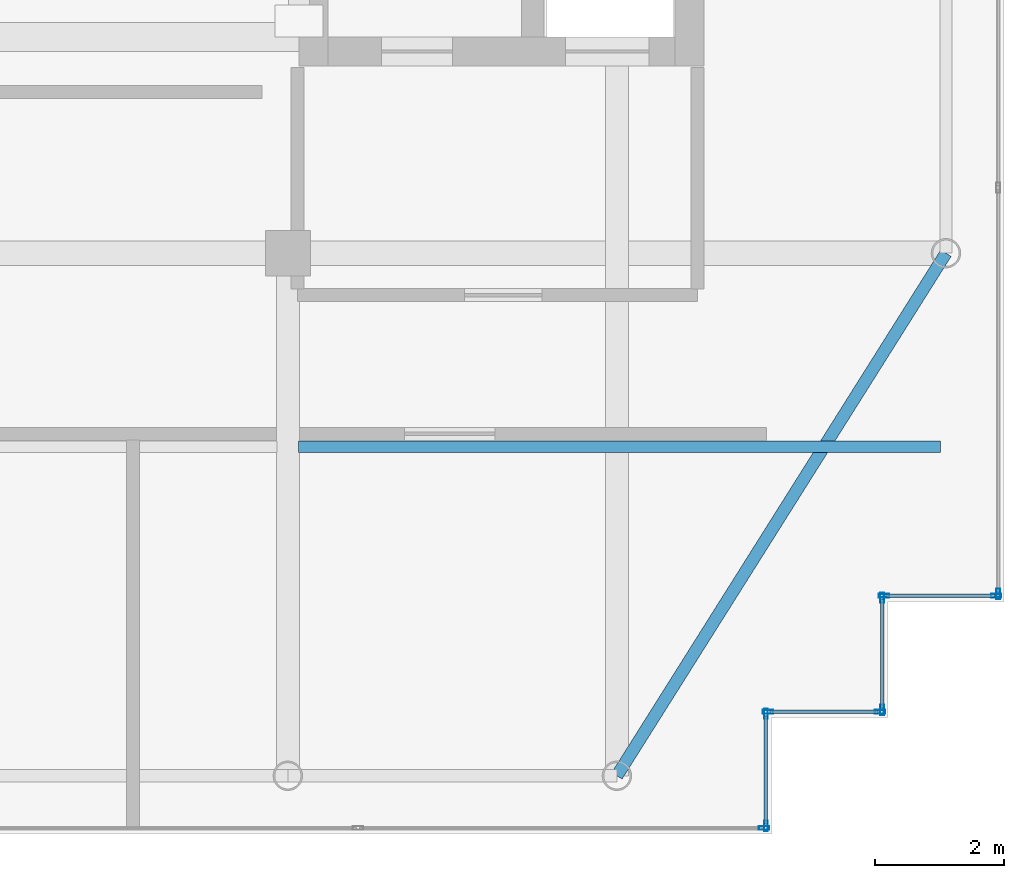
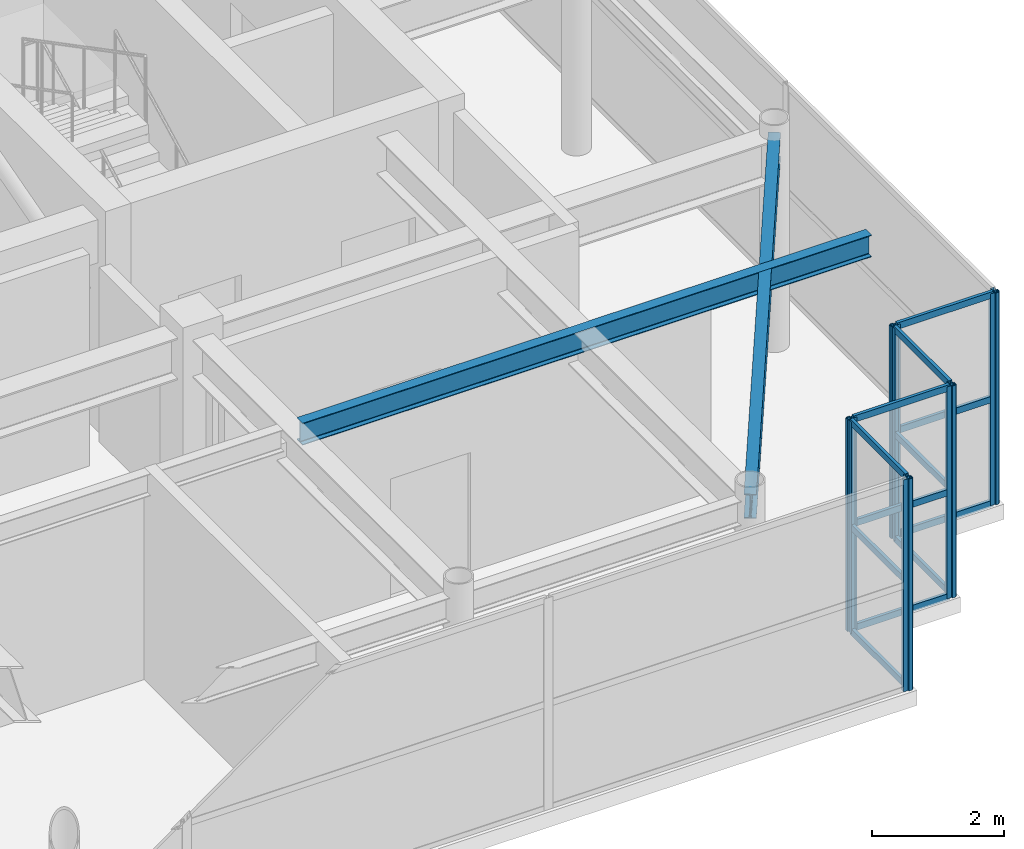
# One storey, part 15 of 33: 22 members, 2 beams, 6 elements without a shape of their own.
"""IFC4 building model written with IfcOpenShell, lengths in metres."""

from ifc_helpers import new_model, si_unit, direction, frame, origin, origin_2d, place, context, subcontext, project, spatial, hollow_rectangle, i_section, extrude, source, transform, mapped, material, layer, layer_set, material_profile, profile_set, type_object, element, aggregate, save


model = new_model("IFC4")

# Units and contexts
model_context = context("Model", 3, precision=1e-05, world=origin(), true_north=direction((0.0, 1.0)))
body_context = subcontext(model_context, "Body", "Model", "MODEL_VIEW")
ifc_project = project(units=[si_unit("LENGTHUNIT", "METRE"), si_unit("AREAUNIT", "SQUARE_METRE"), si_unit("VOLUMEUNIT", "CUBIC_METRE"), si_unit("PLANEANGLEUNIT", "RADIAN"), si_unit("MASSUNIT", "GRAM", prefix="KILO")], contexts=[model_context])

# Site, building, storey
site_placement = place(None, origin())
site = spatial("IfcSite", under=ifc_project, at=site_placement, CompositionType="ELEMENT")
building_placement = place(site_placement, origin())
building = spatial("IfcBuilding", under=site, at=building_placement, Name="Khoralis Quay Care Tower", CompositionType="ELEMENT")
storey_placement = place(building_placement, frame((0.0, 0.0, 302.10009765625)))
storey = spatial("IfcBuildingStorey", under=building, at=storey_placement, Name="L79", CompositionType="ELEMENT", Elevation=302.10009765625)

# Beams
ifc_material_1 = material(Name="Steel S355", Category="steel")
ifc_material_profile_1 = material_profile(ifc_material_1, i_section(OverallWidth=0.18994140625, OverallDepth=0.449951171875, WebThickness=0.009521484375, FlangeThickness=0.0146484375, FilletRadius=0.02099609375, at=origin_2d()), Name="Steel S355")
ifc_profile_set_1 = profile_set([ifc_material_profile_1], Name="Steel S355")
beam_type_1 = type_object("IfcBeamType", Name="BM-IPE450", PredefinedType="SPANDREL", material=ifc_profile_set_1)
shared_shape_1 = source(origin(), body_context, "Body", "SweptSolid", [
    extrude(i_section(OverallWidth=0.18994140625, OverallDepth=0.449951171875, WebThickness=0.009521484375, FlangeThickness=0.0146484375, FilletRadius=0.02099609375, at=origin_2d()), origin(), (0.0, 0.0, 1.0), 9.572021484375),
])
beam_1_placement = place(storey_placement, frame((36.0, 3.89990234375, 3.69482421875), z_axis=(0.532815975602, 0.846231136359, 0.0), x_axis=(-0.846231136359, 0.532815975602, 0.0)))
element("IfcBeam", 1, at=beam_1_placement, inside=storey, type_object=beam_type_1, Name="BM-TCR-L79-18", PredefinedType="SPANDREL", context=body_context, shape_type="MappedRepresentation", body=[
    mapped(shared_shape_1, transform((0.0, 0.0, 0.0), scale=1.0)),
])
ifc_material_profile_2 = material_profile(ifc_material_1, i_section(OverallWidth=0.177978515625, OverallDepth=0.406982421875, WebThickness=0.0078125, FlangeThickness=0.0126953125, FilletRadius=0.012939453125, at=origin_2d()), Name="Steel S355")
ifc_profile_set_2 = profile_set([ifc_material_profile_2], Name="Steel S355")
beam_type_2 = type_object("IfcBeamType", Name="BM-W410X60", PredefinedType="JOIST", material=ifc_profile_set_2)
shared_shape_2 = source(origin(), body_context, "Body", "SweptSolid", [
    extrude(i_section(OverallWidth=0.177978515625, OverallDepth=0.406982421875, WebThickness=0.0078125, FlangeThickness=0.0126953125, FilletRadius=0.012939453125, at=origin_2d()), origin(), (0.0, 0.0, 1.0), 9.95361328125),
])
beam_2_placement = place(storey_placement, frame((31.0654296875, 9.0, 3.71630859375), z_axis=(1.0, 0.0, 0.0), x_axis=(0.0, 1.0, 0.0)))
element("IfcBeam", 2, at=beam_2_placement, inside=storey, type_object=beam_type_2, Name="BM-TJS-L79-22", PredefinedType="JOIST", context=body_context, shape_type="MappedRepresentation", body=[
    mapped(shared_shape_2, transform((0.0, 0.0, 0.0), scale=1.0)),
])

# Curtain wall, members
ifc_material_2 = material(Name="Pale anodised aluminium", Category="aluminium")
ifc_layer = layer(ifc_material_2, 0.199951171875)
ifc_layer_set = layer_set([ifc_layer], Name="Pale anodised aluminium")
curtain_wall_type = type_object("IfcCurtainWallType", Name="CW-SYS-LANTERN", PredefinedType="NOTDEFINED", material=ifc_layer_set)
curtain_wall_1_placement = place(storey_placement, origin())
curtain_wall_1 = element("IfcCurtainWall", 3, at=curtain_wall_1_placement, inside=storey, type_object=curtain_wall_type, Name="L79 Unitised Curtain Wall CW-LN-L79-02", PredefinedType="NOTDEFINED")
ifc_material_profile_3 = material_profile(ifc_material_2, hollow_rectangle(XDim=0.054931640625, YDim=0.1201171875, WallThickness=0.00390625, at=origin_2d()), Name="Pale anodised aluminium")
ifc_profile_set_3 = profile_set([ifc_material_profile_3], Name="Pale anodised aluminium")
member_type_1 = type_object("IfcMemberType", Name="CW-TRN-120", PredefinedType="USERDEFINED", material=ifc_profile_set_3)
shared_shape_3 = source(origin(), body_context, "Body", "SweptSolid", [
    extrude(hollow_rectangle(XDim=0.054931640625, YDim=0.1201171875, WallThickness=0.00390625, at=origin_2d()), origin(), (0.0, 0.0, 1.0), 1.68017578125),
])
member_1_placement = place(storey_placement, frame((38.31005859375, 3.14990234375, 0.02978515625), z_axis=(0.0, 1.0, 0.0), x_axis=(-1.0, 0.0, 0.0)))
member_1 = element("IfcMember", 4, at=member_1_placement, type_object=member_type_1, Name="CW5 transom 1.1", ObjectType="TRANSOM", PredefinedType="USERDEFINED", context=body_context, shape_type="MappedRepresentation", body=[
    mapped(shared_shape_3, transform((0.0, 0.0, 0.0), scale=1.0)),
])
member_2_placement = place(storey_placement, frame((38.31005859375, 3.14990234375, 1.9599609375), z_axis=(0.0, 1.0, 0.0), x_axis=(-1.0, 0.0, 0.0)))
member_2 = element("IfcMember", 5, at=member_2_placement, type_object=member_type_1, Name="CW5 transom 1.2", ObjectType="TRANSOM", PredefinedType="USERDEFINED", context=body_context, shape_type="MappedRepresentation", body=[
    mapped(shared_shape_3, transform((0.0, 0.0, 0.0), scale=1.0)),
])
member_3_placement = place(storey_placement, frame((38.31005859375, 3.14990234375, 3.889892578125), z_axis=(0.0, 1.0, 0.0), x_axis=(-1.0, 0.0, 0.0)))
member_3 = element("IfcMember", 6, at=member_3_placement, type_object=member_type_1, Name="CW5 transom 1.3", ObjectType="TRANSOM", PredefinedType="USERDEFINED", context=body_context, shape_type="MappedRepresentation", body=[
    mapped(shared_shape_3, transform((0.0, 0.0, 0.0), scale=1.0)),
])

curtain_wall_2_placement = place(storey_placement, origin())
curtain_wall_2 = element("IfcCurtainWall", 7, at=curtain_wall_2_placement, inside=storey, type_object=curtain_wall_type, Name="L79 Unitised Curtain Wall CW-LN-L79-05", PredefinedType="NOTDEFINED")
member_4_placement = place(storey_placement, frame((40.169921875, 6.68994140625, 0.02978515625), z_axis=(1.0, 0.0, 0.0), x_axis=(0.0, 1.0, 0.0)))
member_4 = element("IfcMember", 8, at=member_4_placement, type_object=member_type_1, Name="CW5 transom 1.1", ObjectType="TRANSOM", PredefinedType="USERDEFINED", context=body_context, shape_type="MappedRepresentation", body=[
    mapped(shared_shape_3, transform((0.0, 0.0, 0.0), scale=1.0)),
])
member_5_placement = place(storey_placement, frame((40.169921875, 6.68994140625, 1.9599609375), z_axis=(1.0, 0.0, 0.0), x_axis=(0.0, 1.0, 0.0)))
member_5 = element("IfcMember", 9, at=member_5_placement, type_object=member_type_1, Name="CW5 transom 1.2", ObjectType="TRANSOM", PredefinedType="USERDEFINED", context=body_context, shape_type="MappedRepresentation", body=[
    mapped(shared_shape_3, transform((0.0, 0.0, 0.0), scale=1.0)),
])
member_6_placement = place(storey_placement, frame((40.169921875, 6.68994140625, 3.889892578125), z_axis=(1.0, 0.0, 0.0), x_axis=(0.0, 1.0, 0.0)))
member_6 = element("IfcMember", 10, at=member_6_placement, type_object=member_type_1, Name="CW5 transom 1.3", ObjectType="TRANSOM", PredefinedType="USERDEFINED", context=body_context, shape_type="MappedRepresentation", body=[
    mapped(shared_shape_3, transform((0.0, 0.0, 0.0), scale=1.0)),
])

curtain_wall_3_placement = place(storey_placement, origin())
curtain_wall_3 = element("IfcCurtainWall", 11, at=curtain_wall_3_placement, inside=storey, type_object=curtain_wall_type, Name="L79 Unitised Curtain Wall CW-LN-L79-03", PredefinedType="NOTDEFINED")
shared_shape_4 = source(origin(), body_context, "Body", "SweptSolid", [
    extrude(hollow_rectangle(XDim=0.054931640625, YDim=0.1201171875, WallThickness=0.00390625, at=origin_2d()), origin(), (0.0, 0.0, 1.0), 1.679931640625),
])
member_7_placement = place(storey_placement, frame((38.3701171875, 4.889892578125, 0.02978515625), z_axis=(1.0, 0.0, 0.0), x_axis=(0.0, 1.0, 0.0)))
member_7 = element("IfcMember", 12, at=member_7_placement, type_object=member_type_1, Name="CW5 transom 1.1", ObjectType="TRANSOM", PredefinedType="USERDEFINED", context=body_context, shape_type="MappedRepresentation", body=[
    mapped(shared_shape_4, transform((0.0, 0.0, 0.0), scale=1.0)),
])
member_8_placement = place(storey_placement, frame((38.3701171875, 4.889892578125, 1.9599609375), z_axis=(1.0, 0.0, 0.0), x_axis=(0.0, 1.0, 0.0)))
member_8 = element("IfcMember", 13, at=member_8_placement, type_object=member_type_1, Name="CW5 transom 1.2", ObjectType="TRANSOM", PredefinedType="USERDEFINED", context=body_context, shape_type="MappedRepresentation", body=[
    mapped(shared_shape_4, transform((0.0, 0.0, 0.0), scale=1.0)),
])
member_9_placement = place(storey_placement, frame((38.3701171875, 4.889892578125, 3.889892578125), z_axis=(1.0, 0.0, 0.0), x_axis=(0.0, 1.0, 0.0)))
member_9 = element("IfcMember", 14, at=member_9_placement, type_object=member_type_1, Name="CW5 transom 1.3", ObjectType="TRANSOM", PredefinedType="USERDEFINED", context=body_context, shape_type="MappedRepresentation", body=[
    mapped(shared_shape_4, transform((0.0, 0.0, 0.0), scale=1.0)),
])

curtain_wall_4_placement = place(storey_placement, origin())
curtain_wall_4 = element("IfcCurtainWall", 15, at=curtain_wall_4_placement, inside=storey, type_object=curtain_wall_type, Name="L79 Unitised Curtain Wall CW-LN-L79-04", PredefinedType="NOTDEFINED")
member_10_placement = place(storey_placement, frame((40.110107421875, 4.949951171875, 0.02978515625), z_axis=(0.0, 1.0, 0.0), x_axis=(-1.0, 0.0, 0.0)))
member_10 = element("IfcMember", 16, at=member_10_placement, type_object=member_type_1, Name="CW5 transom 1.1", ObjectType="TRANSOM", PredefinedType="USERDEFINED", context=body_context, shape_type="MappedRepresentation", body=[
    mapped(shared_shape_4, transform((0.0, 0.0, 0.0), scale=1.0)),
])
member_11_placement = place(storey_placement, frame((40.110107421875, 4.949951171875, 1.9599609375), z_axis=(0.0, 1.0, 0.0), x_axis=(-1.0, 0.0, 0.0)))
member_11 = element("IfcMember", 17, at=member_11_placement, type_object=member_type_1, Name="CW5 transom 1.2", ObjectType="TRANSOM", PredefinedType="USERDEFINED", context=body_context, shape_type="MappedRepresentation", body=[
    mapped(shared_shape_4, transform((0.0, 0.0, 0.0), scale=1.0)),
])
member_12_placement = place(storey_placement, frame((40.110107421875, 4.949951171875, 3.889892578125), z_axis=(0.0, 1.0, 0.0), x_axis=(-1.0, 0.0, 0.0)))
member_12 = element("IfcMember", 18, at=member_12_placement, type_object=member_type_1, Name="CW5 transom 1.3", ObjectType="TRANSOM", PredefinedType="USERDEFINED", context=body_context, shape_type="MappedRepresentation", body=[
    mapped(shared_shape_4, transform((0.0, 0.0, 0.0), scale=1.0)),
])

# Curtain wall, member
curtain_wall_5_placement = place(storey_placement, origin())
curtain_wall_5 = element("IfcCurtainWall", 19, at=curtain_wall_5_placement, inside=storey, type_object=curtain_wall_type, Name="L79 Unitised Curtain Wall CW-LN-L79-01", PredefinedType="NOTDEFINED")
ifc_material_profile_4 = material_profile(ifc_material_2, hollow_rectangle(XDim=0.06005859375, YDim=0.159912109375, WallThickness=0.00390625, at=origin_2d()), Name="Pale anodised aluminium")
ifc_profile_set_4 = profile_set([ifc_material_profile_4], Name="Pale anodised aluminium")
member_type_2 = type_object("IfcMemberType", Name="CW-MUL-160", PredefinedType="MULLION", material=ifc_profile_set_4)
shared_shape_5 = source(origin(), body_context, "Body", "SweptSolid", [
    extrude(hollow_rectangle(XDim=0.06005859375, YDim=0.159912109375, WallThickness=0.00390625, at=origin_2d()), origin(), (0.0, 0.0, 1.0), 3.919921875),
])
member_13_placement = place(storey_placement, frame((38.280029296875, 3.090087890625, 0.0), z_axis=(0.0, 0.0, 1.0), x_axis=(0.0, 1.0, 0.0)))
member_13 = element("IfcMember", 20, at=member_13_placement, type_object=member_type_2, Name="CW5 mullion 6", PredefinedType="MULLION", context=body_context, shape_type="MappedRepresentation", body=[
    mapped(shared_shape_5, transform((0.0, 0.0, 0.0), scale=1.0)),
])
aggregate(curtain_wall_5, [member_13])

# Member
member_14_placement = place(storey_placement, frame((38.31005859375, 3.1201171875, 0.0), z_axis=(0.0, 0.0, 1.0), x_axis=(-1.0, 0.0, 0.0)))
member_14 = element("IfcMember", 21, at=member_14_placement, type_object=member_type_2, Name="CW5 mullion 1", PredefinedType="MULLION", context=body_context, shape_type="MappedRepresentation", body=[
    mapped(shared_shape_5, transform((0.0, 0.0, 0.0), scale=1.0)),
])

member_15_placement = place(storey_placement, frame((38.31005859375, 4.860107421875, 0.0), z_axis=(0.0, 0.0, 1.0), x_axis=(-1.0, 0.0, 0.0)))
member_15 = element("IfcMember", 22, at=member_15_placement, type_object=member_type_2, Name="CW5 mullion 2", PredefinedType="MULLION", context=body_context, shape_type="MappedRepresentation", body=[
    mapped(shared_shape_5, transform((0.0, 0.0, 0.0), scale=1.0)),
])

aggregate(curtain_wall_1, [member_14, member_15, member_1, member_2, member_3])

member_16_placement = place(storey_placement, frame((38.340087890625, 4.889892578125, 0.0), z_axis=(0.0, 0.0, 1.0), x_axis=(0.0, 1.0, 0.0)))
member_16 = element("IfcMember", 23, at=member_16_placement, type_object=member_type_2, Name="CW5 mullion 1", PredefinedType="MULLION", context=body_context, shape_type="MappedRepresentation", body=[
    mapped(shared_shape_5, transform((0.0, 0.0, 0.0), scale=1.0)),
])

member_17_placement = place(storey_placement, frame((40.080078125, 4.889892578125, 0.0), z_axis=(0.0, 0.0, 1.0), x_axis=(0.0, 1.0, 0.0)))
member_17 = element("IfcMember", 24, at=member_17_placement, type_object=member_type_2, Name="CW5 mullion 2", PredefinedType="MULLION", context=body_context, shape_type="MappedRepresentation", body=[
    mapped(shared_shape_5, transform((0.0, 0.0, 0.0), scale=1.0)),
])

aggregate(curtain_wall_3, [member_16, member_17, member_7, member_8, member_9])

member_18_placement = place(storey_placement, frame((40.110107421875, 4.919921875, 0.0), z_axis=(0.0, 0.0, 1.0), x_axis=(-1.0, 0.0, 0.0)))
member_18 = element("IfcMember", 25, at=member_18_placement, type_object=member_type_2, Name="CW5 mullion 1", PredefinedType="MULLION", context=body_context, shape_type="MappedRepresentation", body=[
    mapped(shared_shape_5, transform((0.0, 0.0, 0.0), scale=1.0)),
])

member_19_placement = place(storey_placement, frame((40.110107421875, 6.659912109375, 0.0), z_axis=(0.0, 0.0, 1.0), x_axis=(-1.0, 0.0, 0.0)))
member_19 = element("IfcMember", 26, at=member_19_placement, type_object=member_type_2, Name="CW5 mullion 2", PredefinedType="MULLION", context=body_context, shape_type="MappedRepresentation", body=[
    mapped(shared_shape_5, transform((0.0, 0.0, 0.0), scale=1.0)),
])

aggregate(curtain_wall_4, [member_18, member_19, member_10, member_11, member_12])

member_20_placement = place(storey_placement, frame((40.139892578125, 6.68994140625, 0.0), z_axis=(0.0, 0.0, 1.0), x_axis=(0.0, 1.0, 0.0)))
member_20 = element("IfcMember", 27, at=member_20_placement, type_object=member_type_2, Name="CW5 mullion 1", PredefinedType="MULLION", context=body_context, shape_type="MappedRepresentation", body=[
    mapped(shared_shape_5, transform((0.0, 0.0, 0.0), scale=1.0)),
])

member_21_placement = place(storey_placement, frame((41.8798828125, 6.68994140625, 0.0), z_axis=(0.0, 0.0, 1.0), x_axis=(0.0, 1.0, 0.0)))
member_21 = element("IfcMember", 28, at=member_21_placement, type_object=member_type_2, Name="CW5 mullion 2", PredefinedType="MULLION", context=body_context, shape_type="MappedRepresentation", body=[
    mapped(shared_shape_5, transform((0.0, 0.0, 0.0), scale=1.0)),
])

aggregate(curtain_wall_2, [member_20, member_21, member_4, member_5, member_6])

# Curtain wall, member
curtain_wall_6_placement = place(storey_placement, origin())
curtain_wall_6 = element("IfcCurtainWall", 29, at=curtain_wall_6_placement, inside=storey, type_object=curtain_wall_type, Name="L79 Unitised Curtain Wall CW-LN-L79-06", PredefinedType="NOTDEFINED")
member_22_placement = place(storey_placement, frame((41.909912109375, 6.719970703125, 0.0), z_axis=(0.0, 0.0, 1.0), x_axis=(-1.0, 0.0, 0.0)))
member_22 = element("IfcMember", 30, at=member_22_placement, type_object=member_type_2, Name="CW5 mullion 1", PredefinedType="MULLION", context=body_context, shape_type="MappedRepresentation", body=[
    mapped(shared_shape_5, transform((0.0, 0.0, 0.0), scale=1.0)),
])
aggregate(curtain_wall_6, [member_22])

save(model, "model.ifc")
